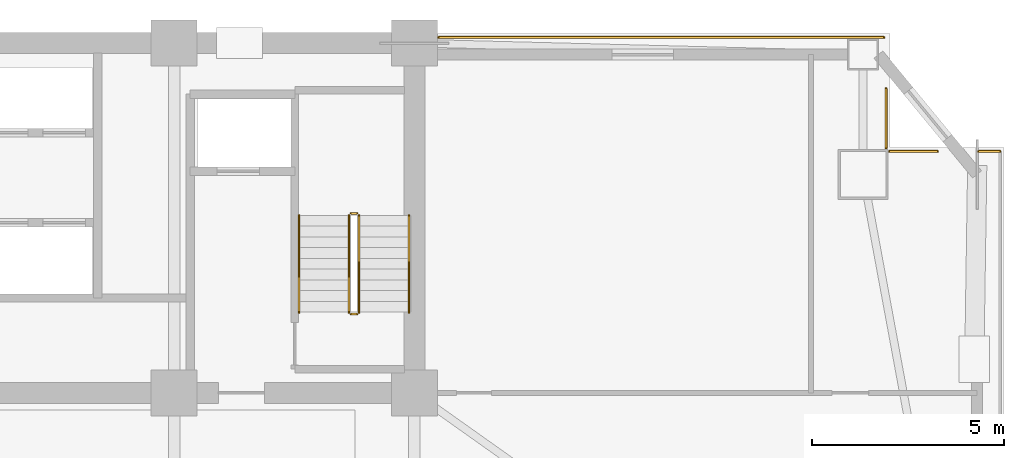
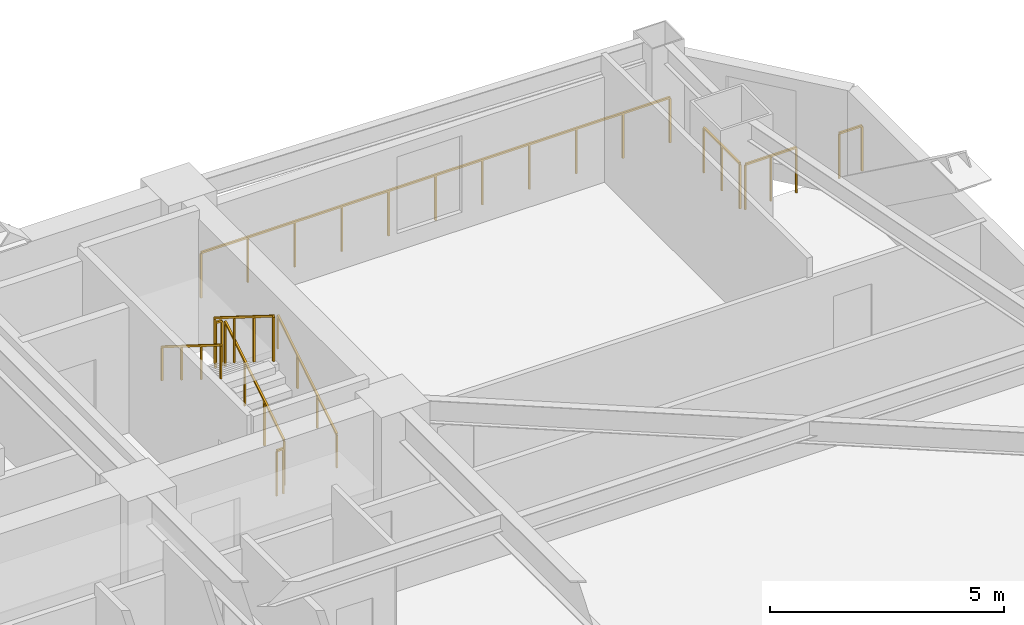
# One storey, part 17 of 17: 10 railings.
"""IFC4 building model written with IfcOpenShell, lengths in metres."""

from ifc_helpers import new_model, si_unit, direction, frame, origin, origin_2d, place, context, subcontext, project, spatial, rectangle, extrude, material, type_object, element, save


model = new_model("IFC4")

# Units and contexts
model_context = context("Model", 3, precision=1e-05, world=origin(), true_north=direction((0.0, 1.0)))
body_context = subcontext(model_context, "Body", "Model", "MODEL_VIEW")
ifc_project = project(units=[si_unit("LENGTHUNIT", "METRE"), si_unit("AREAUNIT", "SQUARE_METRE"), si_unit("VOLUMEUNIT", "CUBIC_METRE"), si_unit("PLANEANGLEUNIT", "RADIAN"), si_unit("MASSUNIT", "GRAM", prefix="KILO")], contexts=[model_context])

# Site, building, storey
site_placement = place(None, origin())
site = spatial("IfcSite", under=ifc_project, at=site_placement, CompositionType="ELEMENT")
building_placement = place(site_placement, origin())
building = spatial("IfcBuilding", under=site, at=building_placement, Name="Giltprow Tower", CompositionType="ELEMENT")
storey_placement = place(building_placement, frame((0.0, 0.0, 137.699951171875)))
storey = spatial("IfcBuildingStorey", under=building, at=storey_placement, Name="L33", CompositionType="ELEMENT", Elevation=137.699951171875)

# Railings
ifc_material = material(Name="Anodized bronze", Category="metal")
railing_type_1 = type_object("IfcRailingType", Name="RAIL-BALC-GUARD-1200", PredefinedType="BALUSTRADE", material=ifc_material)
railing_1_placement = place(storey_placement, frame((51.18505859375, 46.698974609375, 0.0)))
element("IfcRailing", 1, at=railing_1_placement, inside=storey, type_object=railing_type_1, Name="L33 Corner Apron Edge Balustrade 10", PredefinedType="BALUSTRADE", context=body_context, shape_type="SweptSolid", body=[
    extrude(rectangle(XDim=0.048095703125, YDim=0.048095703125, at=origin_2d()), frame((0.0, 0.0, 1.17578125), z_axis=(1.0, 0.0, 0.0), x_axis=(0.0, 1.0, 0.0)), (0.0, 0.0, 1.0), 11.572021484375),
    extrude(rectangle(XDim=0.0419921875, YDim=0.0419921875, at=origin_2d()), origin(), (0.0, 0.0, 1.0), 1.15185546875),
    extrude(rectangle(XDim=0.0419921875, YDim=0.0419921875, at=origin_2d()), frame((1.1572265625, 0.0, 0.0)), (0.0, 0.0, 1.0), 1.15185546875),
    extrude(rectangle(XDim=0.0419921875, YDim=0.0419921875, at=origin_2d()), frame((2.314453125, 0.0, 0.0)), (0.0, 0.0, 1.0), 1.15185546875),
    extrude(rectangle(XDim=0.0419921875, YDim=0.0419921875, at=origin_2d()), frame((3.4716796875, 0.0, 0.0)), (0.0, 0.0, 1.0), 1.15185546875),
    extrude(rectangle(XDim=0.0419921875, YDim=0.0419921875, at=origin_2d()), frame((4.62890625, 0.0, 0.0)), (0.0, 0.0, 1.0), 1.15185546875),
    extrude(rectangle(XDim=0.0419921875, YDim=0.0419921875, at=origin_2d()), frame((5.7861328125, 0.0, 0.0)), (0.0, 0.0, 1.0), 1.15185546875),
    extrude(rectangle(XDim=0.0419921875, YDim=0.0419921875, at=origin_2d()), frame((6.943115234375, 0.0, 0.0)), (0.0, 0.0, 1.0), 1.15185546875),
    extrude(rectangle(XDim=0.0419921875, YDim=0.0419921875, at=origin_2d()), frame((8.100341796875, 0.0, 0.0)), (0.0, 0.0, 1.0), 1.15185546875),
    extrude(rectangle(XDim=0.0419921875, YDim=0.0419921875, at=origin_2d()), frame((9.257568359375, 0.0, 0.0)), (0.0, 0.0, 1.0), 1.15185546875),
    extrude(rectangle(XDim=0.0419921875, YDim=0.0419921875, at=origin_2d()), frame((10.414794921875, 0.0, 0.0)), (0.0, 0.0, 1.0), 1.15185546875),
    extrude(rectangle(XDim=0.0419921875, YDim=0.0419921875, at=origin_2d()), frame((11.572021484375, 0.0, 0.0)), (0.0, 0.0, 1.0), 1.15185546875),
])
railing_2_placement = place(storey_placement, frame((62.821044921875, 45.362060546875, 0.0)))
element("IfcRailing", 2, at=railing_2_placement, inside=storey, type_object=railing_type_1, Name="L33 Corner Apron Edge Balustrade 11", PredefinedType="BALUSTRADE", context=body_context, shape_type="SweptSolid", body=[
    extrude(rectangle(XDim=0.048095703125, YDim=0.048095703125, at=origin_2d()), frame((0.0, 0.0, 1.17578125), z_axis=(0.0, -1.0, 0.0), x_axis=(1.0, 0.0, 0.0)), (0.0, 0.0, 1.0), 1.54296875),
    extrude(rectangle(XDim=0.0419921875, YDim=0.0419921875, at=origin_2d()), origin(), (0.0, 0.0, 1.0), 1.15185546875),
    extrude(rectangle(XDim=0.0419921875, YDim=0.0419921875, at=origin_2d()), frame((0.0, -0.771484375, 0.0)), (0.0, 0.0, 1.0), 1.15185546875),
    extrude(rectangle(XDim=0.0419921875, YDim=0.0419921875, at=origin_2d()), frame((0.0, -1.54296875, 0.0)), (0.0, 0.0, 1.0), 1.15185546875),
])
railing_3_placement = place(storey_placement, frame((62.906005859375, 43.73388671875, 0.0)))
element("IfcRailing", 3, at=railing_3_placement, inside=storey, type_object=railing_type_1, Name="L33 Corner Apron Edge Balustrade 12", PredefinedType="BALUSTRADE", context=body_context, shape_type="SweptSolid", body=[
    extrude(rectangle(XDim=0.048095703125, YDim=0.048095703125, at=origin_2d()), frame((0.0, 0.0, 1.17578125), z_axis=(1.0, 0.0, 0.0), x_axis=(0.0, 1.0, 0.0)), (0.0, 0.0, 1.0), 1.2548828125),
    extrude(rectangle(XDim=0.0419921875, YDim=0.0419921875, at=origin_2d()), origin(), (0.0, 0.0, 1.0), 1.15185546875),
    extrude(rectangle(XDim=0.0419921875, YDim=0.0419921875, at=origin_2d()), frame((0.62744140625, 0.0, 0.0)), (0.0, 0.0, 1.0), 1.15185546875),
    extrude(rectangle(XDim=0.0419921875, YDim=0.0419921875, at=origin_2d()), frame((1.2548828125, 0.0, 0.0)), (0.0, 0.0, 1.0), 1.15185546875),
])
railing_4_placement = place(storey_placement, frame((65.222900390625, 43.73388671875, 0.0)))
element("IfcRailing", 4, at=railing_4_placement, inside=storey, type_object=railing_type_1, Name="L33 Corner Apron Edge Balustrade 13", PredefinedType="BALUSTRADE", context=body_context, shape_type="SweptSolid", body=[
    extrude(rectangle(XDim=0.048095703125, YDim=0.048095703125, at=origin_2d()), frame((0.0, 0.0, 1.17578125), z_axis=(1.0, 0.0, 0.0), x_axis=(0.0, 1.0, 0.0)), (0.0, 0.0, 1.0), 0.56298828125),
    extrude(rectangle(XDim=0.0419921875, YDim=0.0419921875, at=origin_2d()), origin(), (0.0, 0.0, 1.0), 1.15185546875),
    extrude(rectangle(XDim=0.0419921875, YDim=0.0419921875, at=origin_2d()), frame((0.56298828125, 0.0, 0.0)), (0.0, 0.0, 1.0), 1.15185546875),
])
railing_type_2 = type_object("IfcRailingType", Name="RAIL-STAIR-GUARD-1200", PredefinedType="GUARDRAIL", material=ifc_material)
railing_5_placement = place(storey_placement, frame((49.110107421875, 39.550048828125, 0.175048828125)))
element("IfcRailing", 5, at=railing_5_placement, inside=storey, type_object=railing_type_2, Name="L33 ST-3 stair guard 1", PredefinedType="GUARDRAIL", context=body_context, shape_type="SweptSolid", body=[
    extrude(rectangle(XDim=0.048095703125, YDim=0.048095703125, at=origin_2d()), frame((0.0, 0.0, 1.17578125), z_axis=(0.0, 0.848007534815, 0.529984170421), x_axis=(-1.0, 0.0, 0.0)), (0.0, 0.0, 1.0), 2.9716796875),
    extrude(rectangle(XDim=0.0419921875, YDim=0.0419921875, at=origin_2d()), origin(), (0.0, 0.0, 1.0), 1.15185546875),
    extrude(rectangle(XDim=0.0419921875, YDim=0.0419921875, at=origin_2d()), frame((0.0, 0.840087890625, 0.52490234375)), (0.0, 0.0, 1.0), 1.15185546875),
    extrude(rectangle(XDim=0.0419921875, YDim=0.0419921875, at=origin_2d()), frame((0.0, 1.679931640625, 1.050048828125)), (0.0, 0.0, 1.0), 1.15185546875),
    extrude(rectangle(XDim=0.0419921875, YDim=0.0419921875, at=origin_2d()), frame((0.0, 2.52001953125, 1.574951171875)), (0.0, 0.0, 1.0), 1.15185546875),
])
railing_6_placement = place(storey_placement, frame((49.06005859375, 42.1201171875, 1.75)))
element("IfcRailing", 6, at=railing_6_placement, inside=storey, type_object=railing_type_2, Name="L33 ST-3 stair guard 2", PredefinedType="GUARDRAIL", context=body_context, shape_type="SweptSolid", body=[
    extrude(rectangle(XDim=0.048095703125, YDim=0.048095703125, at=origin_2d()), frame((0.0, 0.0, 1.17578125), z_axis=(-1.0, 0.0, 0.0), x_axis=(0.0, -1.0, 0.0)), (0.0, 0.0, 1.0), 0.16015625),
    extrude(rectangle(XDim=0.0419921875, YDim=0.0419921875, at=origin_2d()), origin(), (0.0, 0.0, 1.0), 1.15185546875),
    extrude(rectangle(XDim=0.0419921875, YDim=0.0419921875, at=origin_2d()), frame((-0.16015625, 0.0, 0.0)), (0.0, 0.0, 1.0), 1.15185546875),
])
railing_7_placement = place(storey_placement, frame((48.85009765625, 42.070068359375, 1.925048828125)))
element("IfcRailing", 7, at=railing_7_placement, inside=storey, type_object=railing_type_2, Name="L33 ST-3 stair guard 3", PredefinedType="GUARDRAIL", context=body_context, shape_type="SweptSolid", body=[
    extrude(rectangle(XDim=0.048095703125, YDim=0.048095703125, at=origin_2d()), frame((0.0, 0.0, 1.17578125), z_axis=(0.0, -0.848007534815, 0.529984170421), x_axis=(1.0, 0.0, 0.0)), (0.0, 0.0, 1.0), 2.9716796875),
    extrude(rectangle(XDim=0.0419921875, YDim=0.0419921875, at=origin_2d()), origin(), (0.0, 0.0, 1.0), 1.15185546875),
    extrude(rectangle(XDim=0.0419921875, YDim=0.0419921875, at=origin_2d()), frame((0.0, -0.840087890625, 0.52490234375)), (0.0, 0.0, 1.0), 1.15185546875),
    extrude(rectangle(XDim=0.0419921875, YDim=0.0419921875, at=origin_2d()), frame((0.0, -1.679931640625, 1.050048828125)), (0.0, 0.0, 1.0), 1.15185546875),
    extrude(rectangle(XDim=0.0419921875, YDim=0.0419921875, at=origin_2d()), frame((0.0, -2.52001953125, 1.574951171875)), (0.0, 0.0, 1.0), 1.15185546875),
])
railing_8_placement = place(storey_placement, frame((49.06005859375, 39.5, 0.0)))
element("IfcRailing", 8, at=railing_8_placement, inside=storey, type_object=railing_type_2, Name="L33 ST-3 stair guard 4", PredefinedType="GUARDRAIL", context=body_context, shape_type="SweptSolid", body=[
    extrude(rectangle(XDim=0.048095703125, YDim=0.048095703125, at=origin_2d()), frame((0.0, 0.0, 1.17578125), z_axis=(-1.0, 0.0, 0.0), x_axis=(0.0, -1.0, 0.0)), (0.0, 0.0, 1.0), 0.16015625),
    extrude(rectangle(XDim=0.0419921875, YDim=0.0419921875, at=origin_2d()), origin(), (0.0, 0.0, 1.0), 1.15185546875),
    extrude(rectangle(XDim=0.0419921875, YDim=0.0419921875, at=origin_2d()), frame((-0.16015625, 0.0, 0.0)), (0.0, 0.0, 1.0), 1.15185546875),
])
railing_type_3 = type_object("IfcRailingType", Name="RAIL-STAIR-HAND-900", PredefinedType="HANDRAIL", material=ifc_material)
railing_9_placement = place(storey_placement, frame((50.409912109375, 39.550048828125, 0.175048828125)))
element("IfcRailing", 9, at=railing_9_placement, inside=storey, type_object=railing_type_3, Name="L33 ST-3 stair handrail 1", PredefinedType="HANDRAIL", context=body_context, shape_type="SweptSolid", body=[
    extrude(rectangle(XDim=0.048095703125, YDim=0.048095703125, at=origin_2d()), frame((0.0, 0.0, 0.8759765625), z_axis=(0.0, 0.848007534815, 0.529984170421), x_axis=(-1.0, 0.0, 0.0)), (0.0, 0.0, 1.0), 2.9716796875),
    extrude(rectangle(XDim=0.0419921875, YDim=0.0419921875, at=origin_2d()), origin(), (0.0, 0.0, 1.0), 0.851806640625),
    extrude(rectangle(XDim=0.0419921875, YDim=0.0419921875, at=origin_2d()), frame((0.0, 0.840087890625, 0.52490234375)), (0.0, 0.0, 1.0), 0.851806640625),
    extrude(rectangle(XDim=0.0419921875, YDim=0.0419921875, at=origin_2d()), frame((0.0, 1.679931640625, 1.050048828125)), (0.0, 0.0, 1.0), 0.851806640625),
    extrude(rectangle(XDim=0.0419921875, YDim=0.0419921875, at=origin_2d()), frame((0.0, 2.52001953125, 1.574951171875)), (0.0, 0.0, 1.0), 0.851806640625),
])
railing_10_placement = place(storey_placement, frame((47.550048828125, 42.070068359375, 1.925048828125)))
element("IfcRailing", 10, at=railing_10_placement, inside=storey, type_object=railing_type_3, Name="L33 ST-3 stair handrail 2", PredefinedType="HANDRAIL", context=body_context, shape_type="SweptSolid", body=[
    extrude(rectangle(XDim=0.048095703125, YDim=0.048095703125, at=origin_2d()), frame((0.0, 0.0, 0.8759765625), z_axis=(0.0, -0.848007534815, 0.529984170421), x_axis=(1.0, 0.0, 0.0)), (0.0, 0.0, 1.0), 2.9716796875),
    extrude(rectangle(XDim=0.0419921875, YDim=0.0419921875, at=origin_2d()), origin(), (0.0, 0.0, 1.0), 0.851806640625),
    extrude(rectangle(XDim=0.0419921875, YDim=0.0419921875, at=origin_2d()), frame((0.0, -0.840087890625, 0.52490234375)), (0.0, 0.0, 1.0), 0.851806640625),
    extrude(rectangle(XDim=0.0419921875, YDim=0.0419921875, at=origin_2d()), frame((0.0, -1.679931640625, 1.050048828125)), (0.0, 0.0, 1.0), 0.851806640625),
    extrude(rectangle(XDim=0.0419921875, YDim=0.0419921875, at=origin_2d()), frame((0.0, -2.52001953125, 1.574951171875)), (0.0, 0.0, 1.0), 0.851806640625),
])

save(model, "model.ifc")
